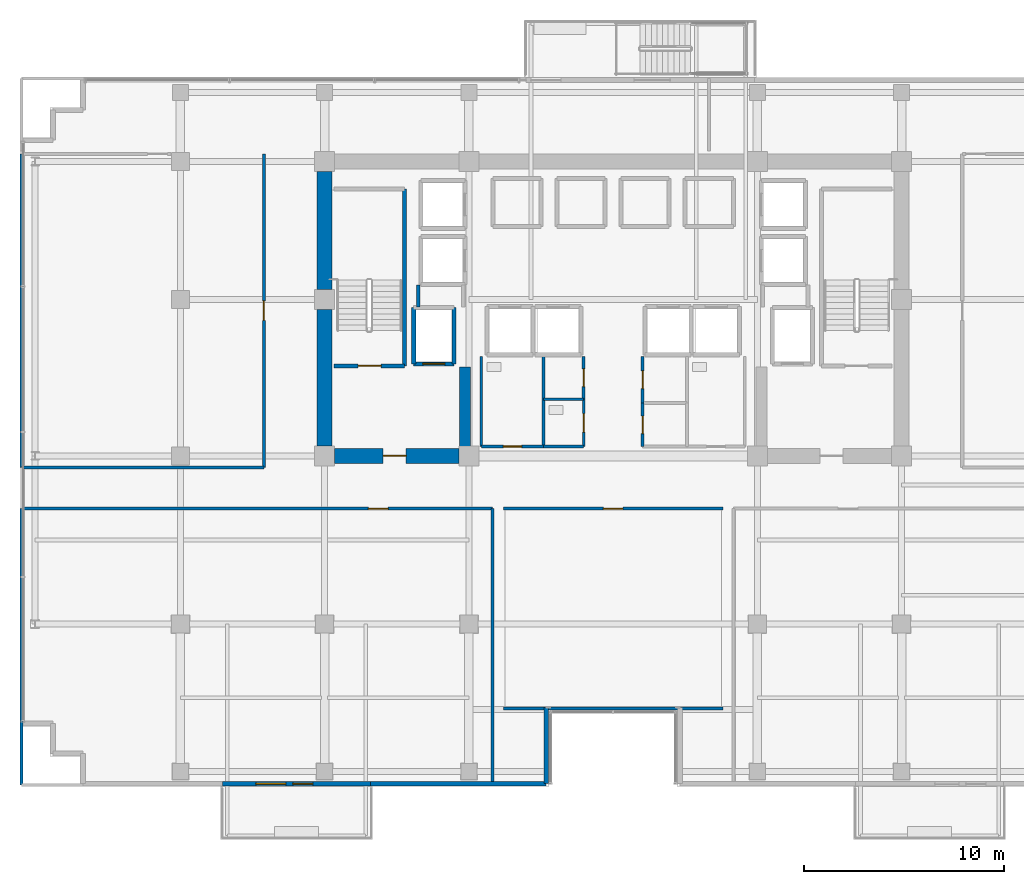
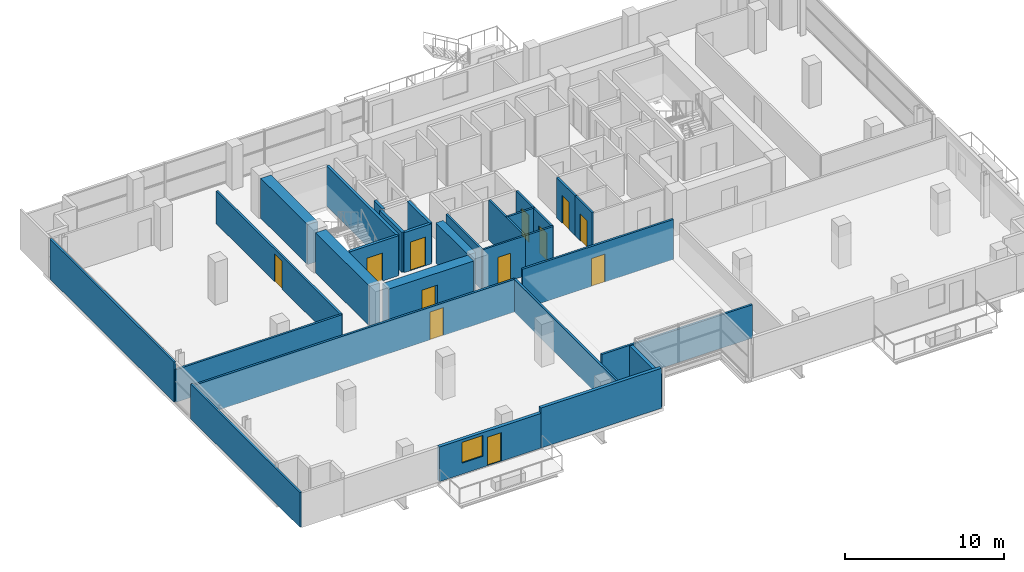
# One storey, part 19 of 27: 30 walls, 12 doors, 1 window, 13 openings.
"""IFC4 building model written with IfcOpenShell, lengths in metres."""

import ifcopenshell
import ifcopenshell.guid

model = None  # the IFC model being written
_history = None  # IfcOwnerHistory: only IFC2X3 demands one
_inside = {}  # id of a spatial element -> (the spatial element, [elements in it])
_under = {}  # id of a project, library or spatial element -> (it, [spatial elements below it])
_declared = {}  # id of a project -> (the project, [libraries it declares])
_typed = {}  # id of a type object -> (the type object, [elements of that type])
_made_of = {}  # id of a material, layer set ... -> (it, [elements and type objects made of it])


def new_model(schema):
    """Start an empty IFC model of exactly this schema.

    Asked for "IFC4X3", IfcOpenShell would pick the latest addendum, in which some entities
    have other attributes; the version numbers below select the first issue.
    IFC2X3 requires an IfcOwnerHistory on every rooted entity: one is made here for all.
    """
    global model, _history
    if schema == "IFC4X3":
        model = ifcopenshell.file(schema_version=(4, 3, 0, 0))
    else:
        model = ifcopenshell.file(schema=schema)
    _inside.clear()
    _under.clear()
    _declared.clear()
    _typed.clear()
    _made_of.clear()
    _history = None
    if model.schema == "IFC2X3":
        org = make("IfcOrganization", Name="unknown")
        user = make(
            "IfcPersonAndOrganization",
            ThePerson=make("IfcPerson", FamilyName="unknown"),
            TheOrganization=org,
        )
        app = make(
            "IfcApplication",
            ApplicationDeveloper=org,
            Version="unknown",
            ApplicationFullName="unknown",
            ApplicationIdentifier="unknown",
        )
        _history = make(
            "IfcOwnerHistory",
            OwningUser=user,
            OwningApplication=app,
            ChangeAction="ADDED",
            CreationDate=0,
        )
    return model


def make(cls, **values):
    """One entity of the class cls with the attributes given. An attribute that is None is left unset."""
    return model.create_entity(
        cls, **{name: value for name, value in values.items() if value is not None}
    )


def rooted(cls, **values):
    """An entity with a GlobalId (a new one), such as an element, a storey or a relation."""
    return make(cls, GlobalId=ifcopenshell.guid.new(), OwnerHistory=_history, **values)


def si_unit(unit_type, name, prefix=None):
    """IfcSIUnit, for example si_unit("LENGTHUNIT", "METRE", prefix="MILLI")."""
    return make("IfcSIUnit", UnitType=unit_type, Prefix=prefix, Name=name)


def assignment(units):
    """IfcUnitAssignment: the units of a project."""
    return None if units is None else make("IfcUnitAssignment", Units=units)


def point(xyz):
    """IfcCartesianPoint."""
    return None if xyz is None else make("IfcCartesianPoint", Coordinates=xyz)


def direction(xyz):
    """IfcDirection."""
    return None if xyz is None else make("IfcDirection", DirectionRatios=xyz)


def frame(location, z_axis=None, x_axis=None):
    """IfcAxis2Placement3D, a coordinate frame: its origin and axes. An axis left out is left unset."""
    return make(
        "IfcAxis2Placement3D",
        Location=point(location),
        Axis=direction(z_axis),
        RefDirection=direction(x_axis),
    )


def frame_2d(location, x_axis=None):
    """IfcAxis2Placement2D, a coordinate frame in the plane: its origin and x axis."""
    return make(
        "IfcAxis2Placement2D", Location=point(location), RefDirection=direction(x_axis)
    )


def origin():
    """The frame at (0, 0, 0) with its axes left unset."""
    return frame((0.0, 0.0, 0.0))


def place(relative_to, where):
    """IfcLocalPlacement: puts the frame where relative to a parent placement (None: the world)."""
    return make(
        "IfcLocalPlacement", PlacementRelTo=relative_to, RelativePlacement=where
    )


def context(
    kind, dimensions, precision=None, world=None, true_north=None, identifier=None
):
    """IfcGeometricRepresentationContext, for example the 3D "Model" context."""
    return make(
        "IfcGeometricRepresentationContext",
        ContextIdentifier=identifier,
        ContextType=kind,
        CoordinateSpaceDimension=dimensions,
        Precision=precision,
        WorldCoordinateSystem=world,
        TrueNorth=true_north,
    )


def subcontext(parent, identifier, kind, view, scale=None):
    """IfcGeometricRepresentationSubContext, for example "Body" below "Model"."""
    return make(
        "IfcGeometricRepresentationSubContext",
        ContextIdentifier=identifier,
        ContextType=kind,
        ParentContext=parent,
        TargetScale=scale,
        TargetView=view,
    )


def project(units=None, contexts=None):
    """IfcProject with its units and contexts."""
    return rooted(
        "IfcProject",
        Name="project",
        RepresentationContexts=contexts,
        UnitsInContext=assignment(units),
    )


def spatial(cls, under=None, at=None, **own):
    """A site, building, storey or space (cls), placed at a placement, below another one or the project."""
    s = rooted(cls, ObjectPlacement=at, **own)
    if under is not None:
        _under.setdefault(under.id(), (under, []))[1].append(s)
    return s


def profile(cls, at=None, kind="AREA", **sizes):
    """A parametric profile (cls). Its sizes go by their IFC names, for example OverallWidth=200.0."""
    return make(cls, ProfileType=kind, Position=at, **sizes)


def rectangle(**sizes):
    """IfcRectangleProfileDef."""
    return profile("IfcRectangleProfileDef", **sizes)


def extrude(swept, where, along, depth):
    """IfcExtrudedAreaSolid: the profile swept, set in the frame where, extruded along a direction by depth."""
    return make(
        "IfcExtrudedAreaSolid",
        SweptArea=swept,
        Position=where,
        ExtrudedDirection=direction(along),
        Depth=depth,
    )


def shape(context_of_items, identifier, shape_type, items):
    """IfcShapeRepresentation: the items that make up one representation, for example the "Body"."""
    return make(
        "IfcShapeRepresentation",
        ContextOfItems=context_of_items,
        RepresentationIdentifier=identifier,
        RepresentationType=shape_type,
        Items=items,
    )


def source(mapping_origin, context_of_items, identifier, shape_type, items):
    """IfcRepresentationMap: a shape defined once, which mapped items show again and again."""
    return make(
        "IfcRepresentationMap",
        MappingOrigin=mapping_origin,
        MappedRepresentation=shape(context_of_items, identifier, shape_type, items),
    )


def transform(
    local_origin,
    x_axis=None,
    y_axis=None,
    z_axis=None,
    scale=None,
    scale2=None,
    scale3=None,
    uniform=True,
):
    """IfcCartesianTransformationOperator3D, or its non-uniform kind. x_axis, y_axis, z_axis: its Axis1, 2, 3."""
    if uniform:
        return make(
            "IfcCartesianTransformationOperator3D",
            Axis1=direction(x_axis),
            Axis2=direction(y_axis),
            LocalOrigin=point(local_origin),
            Scale=scale,
            Axis3=direction(z_axis),
        )
    return make(
        "IfcCartesianTransformationOperator3DnonUniform",
        Axis1=direction(x_axis),
        Axis2=direction(y_axis),
        LocalOrigin=point(local_origin),
        Scale=scale,
        Axis3=direction(z_axis),
        Scale2=scale2,
        Scale3=scale3,
    )


def mapped(mapping_source, mapping_target):
    """IfcMappedItem: shows the shape of a source again, moved by a transform."""
    return make(
        "IfcMappedItem", MappingSource=mapping_source, MappingTarget=mapping_target
    )


def material(Name=None, Category=None):
    """IfcMaterial."""
    return make("IfcMaterial", Name=Name, Category=Category)


def layer(
    of_material, thickness, ventilated=None, Name=None, Category=None, Priority=None
):
    """IfcMaterialLayer: one layer of a wall or slab, of a material (None: an air gap)."""
    return make(
        "IfcMaterialLayer",
        Material=of_material,
        LayerThickness=thickness,
        IsVentilated=ventilated,
        Name=Name,
        Category=Category,
        Priority=Priority,
    )


def layer_set(layers, Name=None):
    """IfcMaterialLayerSet."""
    return make("IfcMaterialLayerSet", MaterialLayers=layers, LayerSetName=Name)


def made_of(thing, what):
    """Note that an element or type object is made of a material, layer set ...; save() writes the relation."""
    if what is not None:
        _made_of.setdefault(what.id(), (what, []))[1].append(thing)
    return thing


def type_object(cls, material=None, **own):
    """A type object (cls), such as IfcWallType, which elements share."""
    return made_of(rooted(cls, **own), material)


def element(
    cls,
    number,
    at=None,
    inside=None,
    cuts=None,
    type_object=None,
    material=None,
    context=None,
    identifier="Body",
    shape_type=None,
    held_by="IfcProductDefinitionShape",
    body=None,
    shapes=None,
    **own,
):
    """One element of the class cls, such as IfcWall. Its Tag is "e" and its number.

    at: its placement. inside: the storey or other place that contains it. cuts: it is an
    opening in that element (IfcRelVoidsElement). A single representation is given by context,
    identifier, shape_type and body (its items); several are given by shapes. held_by: the class
    of the entity that holds the representations. save() writes the other relations.
    """
    e = rooted(cls, Tag="e%d" % number, ObjectPlacement=at, **own)
    if body is not None:
        shapes = [shape(context, identifier, shape_type, body)]
    if shapes is not None:
        e.Representation = make(held_by, Representations=shapes)
    if inside is not None:
        _inside.setdefault(inside.id(), (inside, []))[1].append(e)
    if cuts is not None:
        rooted(
            "IfcRelVoidsElement", RelatingBuildingElement=cuts, RelatedOpeningElement=e
        )
    if type_object is not None:
        _typed.setdefault(type_object.id(), (type_object, []))[1].append(e)
    return made_of(e, material)


def fill(opening, filler):
    """IfcRelFillsElement: the door or window that sits in an opening."""
    return rooted(
        "IfcRelFillsElement",
        RelatingOpeningElement=opening,
        RelatedBuildingElement=filler,
    )


def aggregate(whole, parts):
    """IfcRelAggregates: a whole, such as a stair, and the parts it consists of."""
    return rooted("IfcRelAggregates", RelatingObject=whole, RelatedObjects=parts)


def save(model, path):
    """Write the relations noted so far, then the file.

    IfcRelAggregates (storeys below a building ...), IfcRelContainedInSpatialStructure (elements
    in a storey), IfcRelDefinesByType, IfcRelAssociatesMaterial and IfcRelDeclares: one each for
    every whole, place, type object, material and project.
    """
    for whole, parts in _under.values():
        aggregate(whole, parts)
    for where, things in _inside.values():
        rooted(
            "IfcRelContainedInSpatialStructure",
            RelatedElements=things,
            RelatingStructure=where,
        )
    for kind, things in _typed.values():
        rooted("IfcRelDefinesByType", RelatedObjects=things, RelatingType=kind)
    for what, things in _made_of.values():
        rooted("IfcRelAssociatesMaterial", RelatedObjects=things, RelatingMaterial=what)
    for by, libraries in _declared.values():
        rooted("IfcRelDeclares", RelatingContext=by, RelatedDefinitions=libraries)
    model.write(path)


model = new_model("IFC4")

# Units and contexts
model_context = context("Model", 3, precision=1e-05, world=origin(), true_north=direction((0.0, 1.0)))
body_context = subcontext(model_context, "Body", "Model", "MODEL_VIEW")
ifc_project = project(units=[si_unit("LENGTHUNIT", "METRE"), si_unit("AREAUNIT", "SQUARE_METRE"), si_unit("VOLUMEUNIT", "CUBIC_METRE"), si_unit("PLANEANGLEUNIT", "RADIAN"), si_unit("MASSUNIT", "GRAM", prefix="KILO")], contexts=[model_context])

# Site, building, storey
site_placement = place(None, origin())
site = spatial("IfcSite", under=ifc_project, at=site_placement, CompositionType="ELEMENT")
building_placement = place(site_placement, origin())
building = spatial("IfcBuilding", under=site, at=building_placement, Name="Zarnakvel Exchange Tower", CompositionType="ELEMENT")
storey_placement = place(building_placement, frame((0.0, 0.0, 86.800048828125)))
storey = spatial("IfcBuildingStorey", under=building, at=storey_placement, Name="L23", CompositionType="ELEMENT", Elevation=86.800048828125)

# Walls
ifc_material_1 = material(Name="Concrete C60/75", Category="concrete")
ifc_layer_1 = layer(ifc_material_1, 0.75)
ifc_layer_set_1 = layer_set([ifc_layer_1], Name="Concrete C60/75")
wall_type_1 = type_object("IfcWallType", Name="CW-C3", PredefinedType="SHEAR", material=ifc_layer_set_1)
wall_1_placement = place(storey_placement, frame((-14.39990234375, -0.699951171875, 0.0), z_axis=(0.0, 0.0, 1.0), x_axis=(0.0, 1.0, 0.0)))
element("IfcWall", 1, at=wall_1_placement, inside=storey, type_object=wall_type_1, Name="L23 Rear Core Shear Wall W1 (CW-C3)", PredefinedType="SHEAR", context=body_context, shape_type="SweptSolid", body=[
    extrude(rectangle(XDim=6.800048828125, YDim=0.75, at=frame_2d((3.39990234375, 0.0))), origin(), (0.0, 0.0, 1.0), 3.074951171875),
])
wall_2_placement = place(storey_placement, frame((-14.39990234375, 7.10009765625, 0.0), z_axis=(0.0, 0.0, 1.0), x_axis=(0.0, 1.0, 0.0)))
element("IfcWall", 2, at=wall_2_placement, inside=storey, type_object=wall_type_1, Name="L23 Rear Core Shear Wall W2 (CW-C3)", PredefinedType="SHEAR", context=body_context, shape_type="SweptSolid", body=[
    extrude(rectangle(XDim=5.89990234375, YDim=0.75, at=frame_2d((2.949951171875, 0.0))), origin(), (0.0, 0.0, 1.0), 3.074951171875),
])

# Wall, opening, door
wall_3_placement = place(storey_placement, frame((-7.699951171875, -1.199951171875, 0.0), z_axis=(0.0, 0.0, 1.0), x_axis=(-1.0, 0.0, 0.0)))
wall_3 = element("IfcWall", 3, at=wall_3_placement, inside=storey, type_object=wall_type_1, Name="L23 Rear Core Shear Wall SW (CW-C3)", PredefinedType="SHEAR", context=body_context, shape_type="SweptSolid", body=[
    extrude(rectangle(XDim=6.199951171875, YDim=0.75, at=frame_2d((3.10009765625, 0.0))), origin(), (0.0, 0.0, 1.0), 3.074951171875),
])
opening_1_placement = place(wall_3_placement, frame((2.625, 0.0, 0.0)))
opening_1 = element("IfcOpeningElement", 4, at=opening_1_placement, cuts=wall_3, Name="Opening D-L23-03", PredefinedType="OPENING", context=body_context, shape_type="SweptSolid", body=[
    extrude(rectangle(XDim=1.14990234375, YDim=2.14990234375, at=frame_2d((0.574951171875, 1.074951171875))), frame((0.0, 0.385009765625, 0.0), z_axis=(0.0, -1.0, 0.0), x_axis=(1.0, 0.0, 0.0)), (0.0, 0.0, 1.0), 0.77001953125),
])
ifc_material_2 = material(Name="Painted Galvanised Steel S355", Category="steel")
door_type_1 = type_object("IfcDoorType", Name="DT-04", OperationType="NOTDEFINED", PredefinedType="DOOR", material=ifc_material_2)
shared_shape_1 = source(origin(), body_context, "Body", "SweptSolid", [
    extrude(rectangle(XDim=1.14990234375, YDim=2.14990234375, at=frame_2d((0.574951171875, 1.074951171875))), frame((0.0, 0.02490234375, 0.0), z_axis=(0.0, -1.0, 0.0), x_axis=(1.0, 0.0, 0.0)), (0.0, 0.0, 1.0), 0.050048828125),
])
door_1_placement = place(opening_1_placement, origin())
door_1 = element("IfcDoor", 5, at=door_1_placement, inside=storey, type_object=door_type_1, Name="L23 Firefighting Lobby West Door D-L23-03", OperationType="SINGLE_SWING_RIGHT", OverallHeight=2.14990234375, OverallWidth=1.14990234375, PredefinedType="DOOR", context=body_context, shape_type="MappedRepresentation", body=[
    mapped(shared_shape_1, transform((0.0, 0.0, 0.0), x_axis=(1.0, 0.0, 0.0), y_axis=(0.0, 1.0, 0.0), z_axis=(0.0, 0.0, 1.0), scale=1.0)),
])
fill(opening_1, door_1)

# Wall
ifc_layer_2 = layer(ifc_material_1, 0.550048828125)
ifc_layer_set_2 = layer_set([ifc_layer_2], Name="Concrete C60/75")
wall_type_2 = type_object("IfcWallType", Name="CW-C4", PredefinedType="SHEAR", material=ifc_layer_set_2)
wall_4_placement = place(storey_placement, frame((-7.39990234375, -0.824951171875, 0.0), z_axis=(0.0, 0.0, 1.0), x_axis=(0.0, 1.0, 0.0)))
element("IfcWall", 6, at=wall_4_placement, inside=storey, type_object=wall_type_2, Name="L23 Rear Core Shear Wall IW (CW-C4)", PredefinedType="SHEAR", context=body_context, shape_type="SweptSolid", body=[
    extrude(rectangle(XDim=4.074951171875, YDim=0.550048828125, at=frame_2d((2.03759765625, 0.0))), origin(), (0.0, 0.0, 1.0), 3.074951171875),
])

# Wall, openings, door, window
ifc_material_3 = material(Name="Precast concrete C40/50", Category="concrete")
ifc_layer_3 = layer(ifc_material_3, 0.239990234375)
ifc_layer_set_3 = layer_set([ifc_layer_3], Name="Precast concrete C40/50")
wall_type_3 = type_object("IfcWallType", Name="EW-02", PredefinedType="SOLIDWALL", material=ifc_layer_set_3)
wall_5_placement = place(storey_placement, frame((-12.10009765625, -17.56005859375, 0.0), z_axis=(0.0, 0.0, 1.0), x_axis=(-1.0, 0.0, 0.0)))
wall_5 = element("IfcWall", 7, at=wall_5_placement, inside=storey, type_object=wall_type_3, Name="L23 Exterior Precast Spandrel Wall EW-BAL-L23-SW (EW-02)", PredefinedType="SOLIDWALL", context=body_context, shape_type="SweptSolid", body=[
    extrude(rectangle(XDim=7.39990234375, YDim=0.239990234375, at=frame_2d((3.699951171875, 0.0))), origin(), (0.0, 0.0, 1.0), 2.6650390625),
])
opening_2_placement = place(wall_5_placement, frame((2.885986328125, 0.0, 0.0)))
opening_2 = element("IfcOpeningElement", 8, at=opening_2_placement, cuts=wall_5, Name="Opening BD-L23-01", PredefinedType="OPENING", context=body_context, shape_type="SweptSolid", body=[
    extrude(rectangle(XDim=1.0, YDim=2.199951171875, at=frame_2d((0.5, 1.10009765625))), frame((0.0, 0.1298828125, 0.0), z_axis=(0.0, -1.0, 0.0), x_axis=(1.0, 0.0, 0.0)), (0.0, 0.0, 1.0), 0.260009765625),
])
opening_3_placement = place(wall_5_placement, frame((4.236083984375, 0.0, 0.85009765625)))
opening_3 = element("IfcOpeningElement", 9, at=opening_3_placement, cuts=wall_5, Name="Opening WN-03", PredefinedType="OPENING", context=body_context, shape_type="SweptSolid", body=[
    extrude(rectangle(XDim=1.5, YDim=1.60009765625, at=frame_2d((0.75, 0.800048828125))), frame((0.0, 0.1298828125, 0.0), z_axis=(0.0, -1.0, 0.0), x_axis=(1.0, 0.0, 0.0)), (0.0, 0.0, 1.0), 0.260009765625),
])
ifc_material_4 = material(Name="Architectural Bronze Anodised Aluminium", Category="aluminium")
door_type_2 = type_object("IfcDoorType", Name="DT-09", OperationType="NOTDEFINED", PredefinedType="DOOR", material=ifc_material_4)
shared_shape_2 = source(origin(), body_context, "Body", "SweptSolid", [
    extrude(rectangle(XDim=1.0, YDim=2.199951171875, at=frame_2d((0.5, 1.10009765625))), frame((0.0, 0.02490234375, 0.0), z_axis=(0.0, -1.0, 0.0), x_axis=(1.0, 0.0, 0.0)), (0.0, 0.0, 1.0), 0.050048828125),
])
door_2_placement = place(opening_2_placement, origin())
door_2 = element("IfcDoor", 10, at=door_2_placement, inside=storey, type_object=door_type_2, Name="L23 Planted Loggia Balcony Door BD-L23-01", OperationType="SINGLE_SWING_LEFT", OverallHeight=2.199951171875, OverallWidth=1.0, PredefinedType="DOOR", context=body_context, shape_type="MappedRepresentation", body=[
    mapped(shared_shape_2, transform((0.0, 0.0, 0.0), x_axis=(1.0, 0.0, 0.0), y_axis=(0.0, 1.0, 0.0), z_axis=(0.0, 0.0, 1.0), scale=1.0)),
])
fill(opening_2, door_2)
ifc_material_5 = material(Name="Double Low-E Laminated Vision Glass", Category="glass")
window_type = type_object("IfcWindowType", Name="WN-03", PartitioningType="SINGLE_PANEL", PredefinedType="WINDOW", material=ifc_material_5)
shared_shape_3 = source(origin(), body_context, "Body", "SweptSolid", [
    extrude(rectangle(XDim=1.5, YDim=1.60009765625, at=frame_2d((0.75, 0.800048828125))), frame((0.0, 0.030029296875, 0.0), z_axis=(0.0, -1.0, 0.0), x_axis=(1.0, 0.0, 0.0)), (0.0, 0.0, 1.0), 0.06005859375),
])
window_placement = place(opening_3_placement, origin())
window = element("IfcWindow", 11, at=window_placement, inside=storey, type_object=window_type, Name="L23 Loggia Daylight Window (WN-03)", OverallHeight=1.60009765625, OverallWidth=1.5, PartitioningType="SINGLE_PANEL", PredefinedType="WINDOW", context=body_context, shape_type="MappedRepresentation", body=[
    mapped(shared_shape_3, transform((0.0, 0.0, 0.0), x_axis=(1.0, 0.0, 0.0), y_axis=(0.0, 1.0, 0.0), z_axis=(0.0, 0.0, 1.0), scale=1.0)),
])
fill(opening_3, window)

# Walls
wall_6_placement = place(storey_placement, frame((-3.340087890625, -17.56005859375, 0.0), z_axis=(0.0, 0.0, 1.0), x_axis=(0.0, 1.0, 0.0)))
element("IfcWall", 12, at=wall_6_placement, inside=storey, type_object=wall_type_3, Name="L23 Exterior Precast Spandrel Wall EWC-L23-22 (EW-02)", PredefinedType="SOLIDWALL", context=body_context, shape_type="SweptSolid", body=[
    extrude(rectangle(XDim=3.800048828125, YDim=0.239990234375, at=frame_2d((1.89990234375, 0.0))), origin(), (0.0, 0.0, 1.0), 2.514892578125),
])
wall_7_placement = place(storey_placement, frame((-12.10009765625, -17.56005859375, 0.0), z_axis=(0.0, 0.0, 1.0), x_axis=(1.0, 0.0, 0.0)))
element("IfcWall", 13, at=wall_7_placement, inside=storey, type_object=wall_type_3, Name="L23 Exterior Precast Spandrel Wall EWC-L23-23 (EW-02)", PredefinedType="SOLIDWALL", context=body_context, shape_type="SweptSolid", body=[
    extrude(rectangle(XDim=8.760009765625, YDim=0.239990234375, at=frame_2d((4.3798828125, 0.0))), origin(), (0.0, 0.0, 1.0), 3.074951171875),
])

# Wall, opening, door
ifc_material_6 = material(Name="Fire-Rated Gypsum Stud Partition", Category="gypsum")
ifc_layer_4 = layer(ifc_material_6, 0.14990234375)
ifc_layer_set_4 = layer_set([ifc_layer_4], Name="Fire-Rated Gypsum Stud Partition")
wall_type_4 = type_object("IfcWallType", Name="PT-01", PredefinedType="PARTITIONING", material=ifc_layer_set_4)
wall_8_placement = place(storey_placement, frame((-1.469970703125, 3.760009765625, 0.0), z_axis=(0.0, 0.0, 1.0), x_axis=(0.0, -1.0, 0.0)))
wall_8 = element("IfcWall", 14, at=wall_8_placement, inside=storey, type_object=wall_type_4, Name="L23 Partition Wall PWALL-L23-017 (PT-01)", PredefinedType="PARTITIONING", context=body_context, shape_type="SweptSolid", body=[
    extrude(rectangle(XDim=2.130126953125, YDim=0.14990234375, at=frame_2d((1.06494140625, 0.0))), origin(), (0.0, 0.0, 1.0), 3.074951171875),
])
opening_4_placement = place(wall_8_placement, frame((0.6201171875, 0.0, 0.0)))
opening_4 = element("IfcOpeningElement", 15, at=opening_4_placement, cuts=wall_8, Name="Opening D-L23-07", PredefinedType="OPENING", context=body_context, shape_type="SweptSolid", body=[
    extrude(rectangle(XDim=0.8798828125, YDim=2.10009765625, at=frame_2d((0.43994140625, 1.050048828125))), frame((0.0, 0.0849609375, 0.0), z_axis=(0.0, -1.0, 0.0), x_axis=(1.0, 0.0, 0.0)), (0.0, 0.0, 1.0), 0.169921875),
])
door_type_3 = type_object("IfcDoorType", Name="DT-08", OperationType="NOTDEFINED", PredefinedType="DOOR", material=ifc_material_2)
shared_shape_4 = source(origin(), body_context, "Body", "SweptSolid", [
    extrude(rectangle(XDim=0.8798828125, YDim=2.10009765625, at=frame_2d((0.43994140625, 1.050048828125))), frame((0.0, 0.02490234375, 0.0), z_axis=(0.0, -1.0, 0.0), x_axis=(1.0, 0.0, 0.0)), (0.0, 0.0, 1.0), 0.050048828125),
])
door_3_placement = place(opening_4_placement, origin())
door_3 = element("IfcDoor", 16, at=door_3_placement, inside=storey, type_object=door_type_3, Name="L23 Core Comms Room Door D-L23-07", OperationType="SINGLE_SWING_RIGHT", OverallHeight=2.10009765625, OverallWidth=0.8798828125, PredefinedType="DOOR", context=body_context, shape_type="MappedRepresentation", body=[
    mapped(shared_shape_4, transform((0.0, 0.0, 0.0), x_axis=(1.0, 0.0, 0.0), y_axis=(0.0, 1.0, 0.0), z_axis=(0.0, 0.0, 1.0), scale=1.0)),
])
fill(opening_4, door_3)

wall_9_placement = place(storey_placement, frame((1.469970703125, -0.72998046875, 0.0), z_axis=(0.0, 0.0, 1.0), x_axis=(0.0, 1.0, 0.0)))
wall_9 = element("IfcWall", 17, at=wall_9_placement, inside=storey, type_object=wall_type_4, Name="L23 Partition Wall PWALL-L23-020 (PT-01)", PredefinedType="PARTITIONING", context=body_context, shape_type="SweptSolid", body=[
    extrude(rectangle(XDim=2.159912109375, YDim=0.14990234375, at=frame_2d((1.080078125, 0.0))), origin(), (0.0, 0.0, 1.0), 3.074951171875),
])
opening_5_placement = place(wall_9_placement, frame((0.639892578125, 0.0, 0.0)))
opening_5 = element("IfcOpeningElement", 18, at=opening_5_placement, cuts=wall_9, Name="Opening D-L23-08", PredefinedType="OPENING", context=body_context, shape_type="SweptSolid", body=[
    extrude(rectangle(XDim=0.8798828125, YDim=2.10009765625, at=frame_2d((0.43994140625, 1.050048828125))), frame((0.0, 0.0849609375, 0.0), z_axis=(0.0, -1.0, 0.0), x_axis=(1.0, 0.0, 0.0)), (0.0, 0.0, 1.0), 0.169921875),
])
door_4_placement = place(opening_5_placement, origin())
door_4 = element("IfcDoor", 19, at=door_4_placement, inside=storey, type_object=door_type_3, Name="L23 Janitor Store Door D-L23-08", OperationType="SINGLE_SWING_LEFT", OverallHeight=2.10009765625, OverallWidth=0.8798828125, PredefinedType="DOOR", context=body_context, shape_type="MappedRepresentation", body=[
    mapped(shared_shape_4, transform((0.0, 0.0, 0.0), x_axis=(1.0, 0.0, 0.0), y_axis=(0.0, 1.0, 0.0), z_axis=(0.0, 0.0, 1.0), scale=1.0)),
])
fill(opening_5, door_4)

wall_10_placement = place(storey_placement, frame((1.469970703125, 1.429931640625, 0.0), z_axis=(0.0, 0.0, 1.0), x_axis=(0.0, 1.0, 0.0)))
wall_10 = element("IfcWall", 20, at=wall_10_placement, inside=storey, type_object=wall_type_4, Name="L23 Partition Wall PWALL-L23-022 (PT-01)", PredefinedType="PARTITIONING", context=body_context, shape_type="SweptSolid", body=[
    extrude(rectangle(XDim=2.330078125, YDim=0.14990234375, at=frame_2d((1.1650390625, 0.0))), origin(), (0.0, 0.0, 1.0), 3.074951171875),
])
opening_6_placement = place(wall_10_placement, frame((0.72998046875, 0.0, 0.0)))
opening_6 = element("IfcOpeningElement", 21, at=opening_6_placement, cuts=wall_10, Name="Opening D-L23-09", PredefinedType="OPENING", context=body_context, shape_type="SweptSolid", body=[
    extrude(rectangle(XDim=0.8798828125, YDim=2.14990234375, at=frame_2d((0.43994140625, 1.074951171875))), frame((0.0, 0.0849609375, 0.0), z_axis=(0.0, -1.0, 0.0), x_axis=(1.0, 0.0, 0.0)), (0.0, 0.0, 1.0), 0.169921875),
])
ifc_material_7 = material(Name="Timber Acoustic Veneer", Category="wood")
door_type_4 = type_object("IfcDoorType", Name="DT-05", OperationType="NOTDEFINED", PredefinedType="DOOR", material=ifc_material_7)
shared_shape_5 = source(origin(), body_context, "Body", "SweptSolid", [
    extrude(rectangle(XDim=0.8798828125, YDim=2.14990234375, at=frame_2d((0.43994140625, 1.074951171875))), frame((0.0, 0.02490234375, 0.0), z_axis=(0.0, -1.0, 0.0), x_axis=(1.0, 0.0, 0.0)), (0.0, 0.0, 1.0), 0.050048828125),
])
door_5_placement = place(opening_6_placement, origin())
door_5 = element("IfcDoor", 22, at=door_5_placement, inside=storey, type_object=door_type_4, Name="L23 Stationery Store Door D-L23-09", OperationType="SINGLE_SWING_RIGHT", OverallHeight=2.14990234375, OverallWidth=0.8798828125, PredefinedType="DOOR", context=body_context, shape_type="MappedRepresentation", body=[
    mapped(shared_shape_5, transform((0.0, 0.0, 0.0), x_axis=(1.0, 0.0, 0.0), y_axis=(0.0, 1.0, 0.0), z_axis=(0.0, 0.0, 1.0), scale=1.0)),
])
fill(opening_6, door_5)

wall_11_placement = place(storey_placement, frame((-29.530029296875, -3.830078125, 0.0), z_axis=(0.0, 0.0, 1.0), x_axis=(1.0, 0.0, 0.0)))
wall_11 = element("IfcWall", 23, at=wall_11_placement, inside=storey, type_object=wall_type_4, Name="L23 Partition Wall PWALL-L23-027 (PT-01)", PredefinedType="PARTITIONING", context=body_context, shape_type="SweptSolid", body=[
    extrude(rectangle(XDim=23.510009765625, YDim=0.14990234375, at=frame_2d((11.7548828125, 0.0))), origin(), (0.0, 0.0, 1.0), 2.514892578125),
])
opening_7_placement = place(wall_11_placement, frame((17.31494140625, 0.0, 0.0)))
opening_7 = element("IfcOpeningElement", 24, at=opening_7_placement, cuts=wall_11, Name="Opening D-L23-11", PredefinedType="OPENING", context=body_context, shape_type="SweptSolid", body=[
    extrude(rectangle(XDim=0.97998046875, YDim=2.14990234375, at=frame_2d((0.489990234375, 1.074951171875))), frame((0.0, 0.0849609375, 0.0), z_axis=(0.0, -1.0, 0.0), x_axis=(1.0, 0.0, 0.0)), (0.0, 0.0, 1.0), 0.169921875),
])
shared_shape_6 = source(origin(), body_context, "Body", "SweptSolid", [
    extrude(rectangle(XDim=0.97998046875, YDim=2.14990234375, at=frame_2d((0.489990234375, 1.074951171875))), frame((0.0, 0.02490234375, 0.0), z_axis=(0.0, -1.0, 0.0), x_axis=(1.0, 0.0, 0.0)), (0.0, 0.0, 1.0), 0.050048828125),
])
door_6_placement = place(opening_7_placement, origin())
door_6 = element("IfcDoor", 25, at=door_6_placement, inside=storey, type_object=door_type_4, Name="L23 Sky Lobby Concourse Door D-L23-11", OperationType="SINGLE_SWING_RIGHT", OverallHeight=2.14990234375, OverallWidth=0.97998046875, PredefinedType="DOOR", context=body_context, shape_type="MappedRepresentation", body=[
    mapped(shared_shape_6, transform((0.0, 0.0, 0.0), x_axis=(1.0, 0.0, 0.0), y_axis=(0.0, 1.0, 0.0), z_axis=(0.0, 0.0, 1.0), scale=1.0)),
])
fill(opening_7, door_6)

# Walls
wall_12_placement = place(storey_placement, frame((-29.530029296875, -17.6298828125, 0.0), z_axis=(0.0, 0.0, 1.0), x_axis=(0.0, 1.0, 0.0)))
element("IfcWall", 26, at=wall_12_placement, inside=storey, type_object=wall_type_4, Name="L23 Partition Wall PWALL-L23-028 (PT-01)", PredefinedType="PARTITIONING", context=body_context, shape_type="SweptSolid", body=[
    extrude(rectangle(XDim=13.7998046875, YDim=0.14990234375, at=frame_2d((6.89990234375, 0.0))), origin(), (0.0, 0.0, 1.0), 2.6650390625),
])
wall_13_placement = place(storey_placement, frame((-6.02001953125, -3.830078125, 0.0), z_axis=(0.0, 0.0, 1.0), x_axis=(0.0, -1.0, 0.0)))
element("IfcWall", 27, at=wall_13_placement, inside=storey, type_object=wall_type_4, Name="L23 Partition Wall PWALL-L23-029 (PT-01)", PredefinedType="PARTITIONING", context=body_context, shape_type="SweptSolid", body=[
    extrude(rectangle(XDim=13.7998046875, YDim=0.14990234375, at=frame_2d((6.89990234375, 0.0))), origin(), (0.0, 0.0, 1.0), 2.514892578125),
])
wall_14_placement = place(storey_placement, frame((5.47998046875, -13.800048828125, 0.0), z_axis=(0.0, 0.0, 1.0), x_axis=(-1.0, 0.0, 0.0)))
element("IfcWall", 28, at=wall_14_placement, inside=storey, type_object=wall_type_4, Name="L23 Partition Wall PWALL-L23-034 (PT-01)", PredefinedType="PARTITIONING", context=body_context, shape_type="SweptSolid", body=[
    extrude(rectangle(XDim=10.9599609375, YDim=0.14990234375, at=frame_2d((5.47998046875, 0.0))), origin(), (0.0, 0.0, 1.0), 2.56494140625),
])

# Wall, opening, door
wall_15_placement = place(storey_placement, frame((-5.47998046875, -3.830078125, 0.0), z_axis=(0.0, 0.0, 1.0), x_axis=(1.0, 0.0, 0.0)))
wall_15 = element("IfcWall", 29, at=wall_15_placement, inside=storey, type_object=wall_type_4, Name="L23 Partition Wall PWALL-L23-035 (PT-01)", PredefinedType="PARTITIONING", context=body_context, shape_type="SweptSolid", body=[
    extrude(rectangle(XDim=10.9599609375, YDim=0.14990234375, at=frame_2d((5.47998046875, 0.0))), origin(), (0.0, 0.0, 1.0), 3.074951171875),
])
opening_8_placement = place(wall_15_placement, frame((4.989990234375, 0.0, 0.0)))
opening_8 = element("IfcOpeningElement", 30, at=opening_8_placement, cuts=wall_15, Name="Opening D-L23-13", PredefinedType="OPENING", context=body_context, shape_type="SweptSolid", body=[
    extrude(rectangle(XDim=0.97998046875, YDim=2.14990234375, at=frame_2d((0.489990234375, 1.074951171875))), frame((0.0, 0.0849609375, 0.0), z_axis=(0.0, -1.0, 0.0), x_axis=(1.0, 0.0, 0.0)), (0.0, 0.0, 1.0), 0.169921875),
])
door_7_placement = place(opening_8_placement, origin())
door_7 = element("IfcDoor", 31, at=door_7_placement, inside=storey, type_object=door_type_4, Name="L23 Observation Lounge Door D-L23-13", OperationType="SINGLE_SWING_RIGHT", OverallHeight=2.14990234375, OverallWidth=0.97998046875, PredefinedType="DOOR", context=body_context, shape_type="MappedRepresentation", body=[
    mapped(shared_shape_6, transform((0.0, 0.0, 0.0), x_axis=(1.0, 0.0, 0.0), y_axis=(0.0, 1.0, 0.0), z_axis=(0.0, 0.0, 1.0), scale=1.0)),
])
fill(opening_8, door_7)

# Walls
wall_16_placement = place(storey_placement, frame((-17.429931640625, -1.77001953125, 0.0), z_axis=(0.0, 0.0, 1.0), x_axis=(-1.0, 0.0, 0.0)))
element("IfcWall", 32, at=wall_16_placement, inside=storey, type_object=wall_type_4, Name="L23 Partition Wall PWALL-L23-036 (PT-01)", PredefinedType="PARTITIONING", context=body_context, shape_type="SweptSolid", body=[
    extrude(rectangle(XDim=12.10009765625, YDim=0.14990234375, at=frame_2d((6.050048828125, 0.0))), origin(), (0.0, 0.0, 1.0), 2.514892578125),
])
wall_17_placement = place(storey_placement, frame((-29.530029296875, -1.77001953125, 0.0), z_axis=(0.0, 0.0, 1.0), x_axis=(0.0, 1.0, 0.0)))
element("IfcWall", 33, at=wall_17_placement, inside=storey, type_object=wall_type_4, Name="L23 Partition Wall PWALL-L23-038 (PT-01)", PredefinedType="PARTITIONING", context=body_context, shape_type="SweptSolid", body=[
    extrude(rectangle(XDim=15.64990234375, YDim=0.14990234375, at=frame_2d((7.824951171875, 0.0))), origin(), (0.0, 0.0, 1.0), 3.074951171875),
])

# Wall, opening, door
wall_18_placement = place(storey_placement, frame((-17.429931640625, 13.8798828125, 0.0), z_axis=(0.0, 0.0, 1.0), x_axis=(0.0, -1.0, 0.0)))
wall_18 = element("IfcWall", 34, at=wall_18_placement, inside=storey, type_object=wall_type_4, Name="L23 Partition Wall PWALL-L23-039 (PT-01)", PredefinedType="PARTITIONING", context=body_context, shape_type="SweptSolid", body=[
    extrude(rectangle(XDim=15.64990234375, YDim=0.14990234375, at=frame_2d((7.824951171875, 0.0))), origin(), (0.0, 0.0, 1.0), 2.514892578125),
])
opening_9_placement = place(wall_18_placement, frame((7.3349609375, 0.0, 0.0)))
opening_9 = element("IfcOpeningElement", 35, at=opening_9_placement, cuts=wall_18, Name="Opening D-L23-14", PredefinedType="OPENING", context=body_context, shape_type="SweptSolid", body=[
    extrude(rectangle(XDim=0.97998046875, YDim=2.14990234375, at=frame_2d((0.489990234375, 1.074951171875))), frame((0.0, 0.0849609375, 0.0), z_axis=(0.0, -1.0, 0.0), x_axis=(1.0, 0.0, 0.0)), (0.0, 0.0, 1.0), 0.169921875),
])
door_8_placement = place(opening_9_placement, origin())
door_8 = element("IfcDoor", 36, at=door_8_placement, inside=storey, type_object=door_type_4, Name="L23 Client Reception Suite Door D-L23-14", OperationType="SINGLE_SWING_LEFT", OverallHeight=2.14990234375, OverallWidth=0.97998046875, PredefinedType="DOOR", context=body_context, shape_type="MappedRepresentation", body=[
    mapped(shared_shape_6, transform((0.0, 0.0, 0.0), x_axis=(1.0, 0.0, 0.0), y_axis=(0.0, 1.0, 0.0), z_axis=(0.0, 0.0, 1.0), scale=1.0)),
])
fill(opening_9, door_8)

# Wall
ifc_layer_5 = layer(ifc_material_6, 0.179931640625)
ifc_layer_set_5 = layer_set([ifc_layer_5], Name="Fire-Rated Gypsum Stud Partition")
wall_type_5 = type_object("IfcWallType", Name="PT-02", PredefinedType="PARTITIONING", material=ifc_layer_set_5)
wall_19_placement = place(storey_placement, frame((-9.72998046875, 6.239990234375, 0.0), z_axis=(0.0, 0.0, 1.0), x_axis=(0.0, 1.0, 0.0)))
element("IfcWall", 37, at=wall_19_placement, inside=storey, type_object=wall_type_5, Name="L23 Partition Wall PWALL-L23-007 (PT-02)", PredefinedType="PARTITIONING", context=body_context, shape_type="SweptSolid", body=[
    extrude(rectangle(XDim=1.090087890625, YDim=0.179931640625, at=frame_2d((0.544921875, 0.0))), origin(), (0.0, 0.0, 1.0), 3.074951171875),
])

# Wall, opening, door
ifc_material_8 = material(Name="Moisture-Resistant Tile-Faced Partition", Category="gypsum")
ifc_layer_6 = layer(ifc_material_8, 0.135009765625)
ifc_layer_set_6 = layer_set([ifc_layer_6], Name="Moisture-Resistant Tile-Faced Partition")
wall_type_6 = type_object("IfcWallType", Name="PT-03", PredefinedType="PARTITIONING", material=ifc_layer_set_6)
wall_20_placement = place(storey_placement, frame((-3.469970703125, -0.72998046875, 0.0), z_axis=(0.0, 0.0, 1.0), x_axis=(-1.0, 0.0, 0.0)))
wall_20 = element("IfcWall", 38, at=wall_20_placement, inside=storey, type_object=wall_type_6, Name="L23 Partition Wall PWALL-L23-011 (PT-03)", PredefinedType="PARTITIONING", context=body_context, shape_type="SweptSolid", body=[
    extrude(rectangle(XDim=3.110107421875, YDim=0.135009765625, at=frame_2d((1.55517578125, 0.0))), origin(), (0.0, 0.0, 1.0), 3.074951171875),
])
opening_10_placement = place(wall_20_placement, frame((1.090087890625, 0.0, 0.0)))
opening_10 = element("IfcOpeningElement", 39, at=opening_10_placement, cuts=wall_20, Name="Opening D-L23-05", PredefinedType="OPENING", context=body_context, shape_type="SweptSolid", body=[
    extrude(rectangle(XDim=0.919921875, YDim=2.10009765625, at=frame_2d((0.4599609375, 1.050048828125))), frame((0.0, 0.077392578125, 0.0), z_axis=(0.0, -1.0, 0.0), x_axis=(1.0, 0.0, 0.0)), (0.0, 0.0, 1.0), 0.155029296875),
])
ifc_material_9 = material(Name="Moisture-Resistant Laminate Timber", Category="wood")
door_type_5 = type_object("IfcDoorType", Name="DT-07", OperationType="NOTDEFINED", PredefinedType="DOOR", material=ifc_material_9)
shared_shape_7 = source(origin(), body_context, "Body", "SweptSolid", [
    extrude(rectangle(XDim=0.919921875, YDim=2.10009765625, at=frame_2d((0.4599609375, 1.050048828125))), frame((0.0, 0.02490234375, 0.0), z_axis=(0.0, -1.0, 0.0), x_axis=(1.0, 0.0, 0.0)), (0.0, 0.0, 1.0), 0.050048828125),
])
door_9_placement = place(opening_10_placement, origin())
door_9 = element("IfcDoor", 40, at=door_9_placement, inside=storey, type_object=door_type_5, Name="L23 Male Toilet Door D-L23-05", OperationType="SINGLE_SWING_RIGHT", OverallHeight=2.10009765625, OverallWidth=0.919921875, PredefinedType="DOOR", context=body_context, shape_type="MappedRepresentation", body=[
    mapped(shared_shape_7, transform((0.0, 0.0, 0.0), x_axis=(1.0, 0.0, 0.0), y_axis=(0.0, 1.0, 0.0), z_axis=(0.0, 0.0, 1.0), scale=1.0)),
])
fill(opening_10, door_9)

# Walls
for number, where, z_axis, x_axis, name in (
    (41, (-6.580078125, -0.72998046875, 0.0), (0.0, 0.0, 1.0), (0.0, 1.0, 0.0), "L23 Partition Wall PWALL-L23-012 (PT-03)"),
    (42, (-3.469970703125, 3.760009765625, 0.0), (0.0, 0.0, 1.0), (0.0, -1.0, 0.0), "L23 Partition Wall PWALL-L23-013 (PT-03)"),
):
    element("IfcWall", number, at=place(storey_placement, frame(where, z_axis=z_axis, x_axis=x_axis)), inside=storey, type_object=wall_type_6, Name=name, PredefinedType="PARTITIONING", context=body_context, shape_type="SweptSolid", body=[
        extrude(rectangle(XDim=4.489990234375, YDim=0.135009765625, at=frame_2d((2.2451171875, 0.0))), origin(), (0.0, 0.0, 1.0), 3.074951171875),
    ])
for number, where, z_axis, x_axis, name in (
    (43, (-1.469970703125, -0.72998046875, 0.0), (0.0, 0.0, 1.0), (-1.0, 0.0, 0.0), "L23 Partition Wall PWALL-L23-014 (PT-03)"),
    (44, (-3.469970703125, 1.6298828125, 0.0), (0.0, 0.0, 1.0), (1.0, 0.0, 0.0), "L23 Partition Wall PWALL-L23-015 (PT-03)"),
):
    element("IfcWall", number, at=place(storey_placement, frame(where, z_axis=z_axis, x_axis=x_axis)), inside=storey, type_object=wall_type_6, Name=name, PredefinedType="PARTITIONING", context=body_context, shape_type="SweptSolid", body=[
        extrude(rectangle(XDim=2.0, YDim=0.135009765625, at=frame_2d((1.0, 0.0))), origin(), (0.0, 0.0, 1.0), 3.074951171875),
    ])

# Wall, opening, door
wall_21_placement = place(storey_placement, frame((-1.469970703125, 1.6298828125, 0.0), z_axis=(0.0, 0.0, 1.0), x_axis=(0.0, -1.0, 0.0)))
wall_21 = element("IfcWall", 45, at=wall_21_placement, inside=storey, type_object=wall_type_6, Name="L23 Partition Wall PWALL-L23-016 (PT-03)", PredefinedType="PARTITIONING", context=body_context, shape_type="SweptSolid", body=[
    extrude(rectangle(XDim=2.35986328125, YDim=0.135009765625, at=frame_2d((1.179931640625, 0.0))), origin(), (0.0, 0.0, 1.0), 3.074951171875),
])
opening_11_placement = place(wall_21_placement, frame((0.719970703125, 0.0, 0.0)))
opening_11 = element("IfcOpeningElement", 46, at=opening_11_placement, cuts=wall_21, Name="Opening D-L23-06", PredefinedType="OPENING", context=body_context, shape_type="SweptSolid", body=[
    extrude(rectangle(XDim=0.919921875, YDim=2.10009765625, at=frame_2d((0.4599609375, 1.050048828125))), frame((0.0, 0.077392578125, 0.0), z_axis=(0.0, -1.0, 0.0), x_axis=(1.0, 0.0, 0.0)), (0.0, 0.0, 1.0), 0.155029296875),
])
door_10_placement = place(opening_11_placement, origin())
door_10 = element("IfcDoor", 47, at=door_10_placement, inside=storey, type_object=door_type_5, Name="L23 Accessible Toilet Door D-L23-06", OperationType="SINGLE_SWING_LEFT", OverallHeight=2.10009765625, OverallWidth=0.919921875, PredefinedType="DOOR", context=body_context, shape_type="MappedRepresentation", body=[
    mapped(shared_shape_7, transform((0.0, 0.0, 0.0), x_axis=(1.0, 0.0, 0.0), y_axis=(0.0, 1.0, 0.0), z_axis=(0.0, 0.0, 1.0), scale=1.0)),
])
fill(opening_11, door_10)

ifc_material_10 = material(Name="Concrete C40/50", Category="concrete")
ifc_layer_7 = layer(ifc_material_10, 0.199951171875)
ifc_layer_set_7 = layer_set([ifc_layer_7], Name="Concrete C40/50")
wall_type_7 = type_object("IfcWallType", Name="SW-01", PredefinedType="SOLIDWALL", material=ifc_layer_set_7)
wall_22_placement = place(storey_placement, frame((-7.949951171875, 3.39990234375, 0.0), z_axis=(0.0, 0.0, 1.0), x_axis=(-1.0, 0.0, 0.0)))
wall_22 = element("IfcWall", 48, at=wall_22_placement, inside=storey, type_object=wall_type_7, Name="L23 FL-01 Hoistway Wall South", PredefinedType="SOLIDWALL", context=body_context, shape_type="SweptSolid", body=[
    extrude(rectangle(XDim=2.0, YDim=0.199951171875, at=frame_2d((1.0, 0.0))), origin(), (0.0, 0.0, 1.0), 3.074951171875),
])
opening_12_placement = place(wall_22_placement, frame((0.449951171875, 0.0, 0.0)))
opening_12 = element("IfcOpeningElement", 49, at=opening_12_placement, cuts=wall_22, Name="Opening LD-FL-01-L23", PredefinedType="OPENING", context=body_context, shape_type="SweptSolid", body=[
    extrude(rectangle(XDim=1.10009765625, YDim=2.199951171875, at=frame_2d((0.550048828125, 1.10009765625))), frame((0.0, 0.10986328125, 0.0), z_axis=(0.0, -1.0, 0.0), x_axis=(1.0, 0.0, 0.0)), (0.0, 0.0, 1.0), 0.219970703125),
])
ifc_material_11 = material(Name="Brushed Stainless Steel", Category="steel")
door_type_6 = type_object("IfcDoorType", Name="LDT-01", OperationType="NOTDEFINED", PredefinedType="DOOR", material=ifc_material_11)
shared_shape_8 = source(origin(), body_context, "Body", "SweptSolid", [
    extrude(rectangle(XDim=1.10009765625, YDim=2.199951171875, at=frame_2d((0.550048828125, 1.10009765625))), frame((0.0, 0.02490234375, 0.0), z_axis=(0.0, -1.0, 0.0), x_axis=(1.0, 0.0, 0.0)), (0.0, 0.0, 1.0), 0.050048828125),
])
door_11_placement = place(opening_12_placement, origin())
door_11 = element("IfcDoor", 50, at=door_11_placement, inside=storey, type_object=door_type_6, Name="L23 FL-01 Lift Landing Door LD-FL-01-L23", OperationType="DOUBLE_DOOR_SLIDING", OverallHeight=2.199951171875, OverallWidth=1.10009765625, PredefinedType="DOOR", context=body_context, shape_type="MappedRepresentation", body=[
    mapped(shared_shape_8, transform((0.0, 0.0, 0.0), x_axis=(1.0, 0.0, 0.0), y_axis=(0.0, 1.0, 0.0), z_axis=(0.0, 0.0, 1.0), scale=1.0)),
])
fill(opening_12, door_11)

# Walls
for number, where, z_axis, x_axis, name in (
    (51, (-9.949951171875, 3.39990234375, 0.0), (0.0, 0.0, 1.0), (0.0, 1.0, 0.0), "L23 FL-01 Hoistway Wall West"),
    (52, (-7.949951171875, 6.199951171875, 0.0), (0.0, 0.0, 1.0), (0.0, -1.0, 0.0), "L23 FL-01 Hoistway Wall East"),
):
    element("IfcWall", number, at=place(storey_placement, frame(where, z_axis=z_axis, x_axis=x_axis)), inside=storey, type_object=wall_type_7, Name=name, PredefinedType="SOLIDWALL", context=body_context, shape_type="SweptSolid", body=[
        extrude(rectangle(XDim=2.800048828125, YDim=0.199951171875, at=frame_2d((1.39990234375, 0.0))), origin(), (0.0, 0.0, 1.0), 3.074951171875),
    ])

# Wall, opening, door
ifc_layer_8 = layer(ifc_material_10, 0.199951171875)
ifc_layer_set_8 = layer_set([ifc_layer_8], Name="Concrete C40/50")
wall_type_8 = type_object("IfcWallType", Name="SW-02", PredefinedType="SOLIDWALL", material=ifc_layer_set_8)
wall_23_placement = place(storey_placement, frame((-10.409912109375, 3.2900390625, 0.0), z_axis=(0.0, 0.0, 1.0), x_axis=(-1.0, 0.0, 0.0)))
wall_23 = element("IfcWall", 53, at=wall_23_placement, inside=storey, type_object=wall_type_8, Name="L23 Stairwell Core Wall PWALL-L23-001 (SW-02)", PredefinedType="SOLIDWALL", context=body_context, shape_type="SweptSolid", body=[
    extrude(rectangle(XDim=3.52001953125, YDim=0.199951171875, at=frame_2d((1.760009765625, 0.0))), origin(), (0.0, 0.0, 1.0), 3.074951171875),
])
opening_13_placement = place(wall_23_placement, frame((1.1650390625, 0.0, 0.0)))
opening_13 = element("IfcOpeningElement", 54, at=opening_13_placement, cuts=wall_23, Name="Opening D-L23-01", PredefinedType="OPENING", context=body_context, shape_type="SweptSolid", body=[
    extrude(rectangle(XDim=1.14990234375, YDim=2.14990234375, at=frame_2d((0.574951171875, 1.074951171875))), frame((0.0, 0.10986328125, 0.0), z_axis=(0.0, -1.0, 0.0), x_axis=(1.0, 0.0, 0.0)), (0.0, 0.0, 1.0), 0.219970703125),
])
door_12_placement = place(opening_13_placement, origin())
door_12 = element("IfcDoor", 55, at=door_12_placement, inside=storey, type_object=door_type_1, Name="L23 Stairwell ST-01 Door D-L23-01", OperationType="SINGLE_SWING_RIGHT", OverallHeight=2.14990234375, OverallWidth=1.14990234375, PredefinedType="DOOR", context=body_context, shape_type="MappedRepresentation", body=[
    mapped(shared_shape_1, transform((0.0, 0.0, 0.0), x_axis=(1.0, 0.0, 0.0), y_axis=(0.0, 1.0, 0.0), z_axis=(0.0, 0.0, 1.0), scale=1.0)),
])
fill(opening_13, door_12)

# Wall
wall_24_placement = place(storey_placement, frame((-10.409912109375, 12.1298828125, 0.0), z_axis=(0.0, 0.0, 1.0), x_axis=(0.0, -1.0, 0.0)))
element("IfcWall", 56, at=wall_24_placement, inside=storey, type_object=wall_type_8, Name="L23 Stairwell Core Wall PWALL-L23-003 (SW-02)", PredefinedType="SOLIDWALL", context=body_context, shape_type="SweptSolid", body=[
    extrude(rectangle(XDim=8.83984375, YDim=0.199951171875, at=frame_2d((4.419921875, 0.0))), origin(), (0.0, 0.0, 1.0), 3.074951171875),
])

save(model, "model.ifc")
